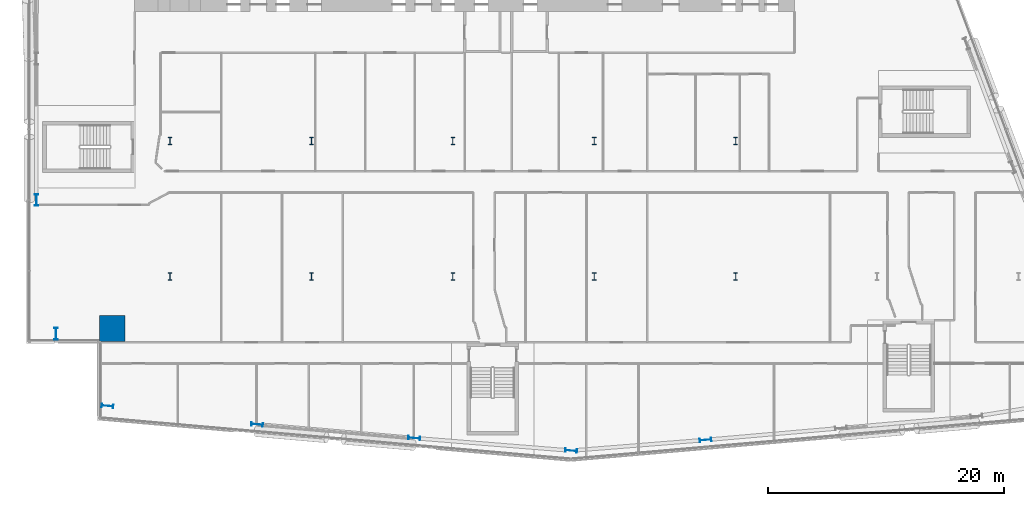
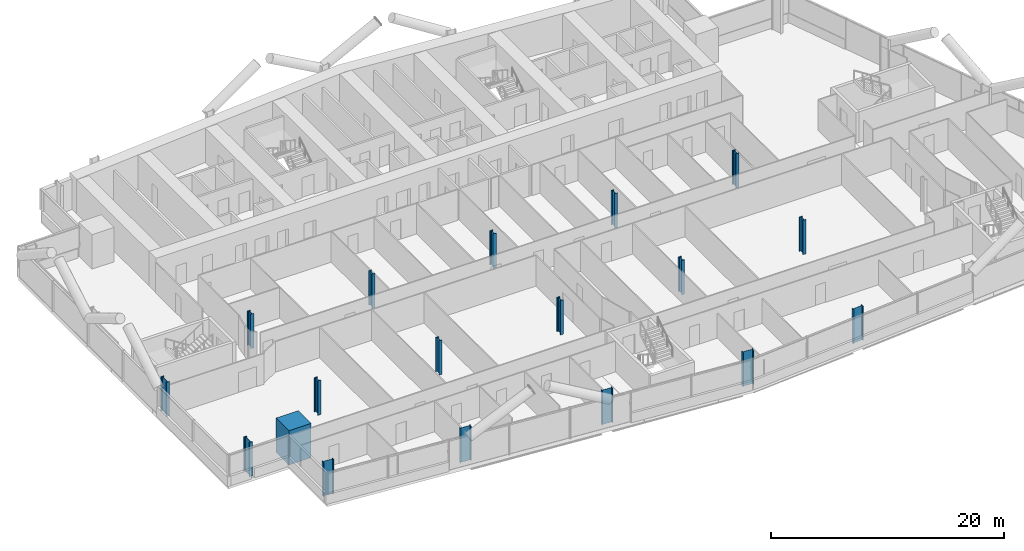
# One storey, part 1 of 28: 18 columns.
"""IFC4 building model written with IfcOpenShell, lengths in metres."""

from ifc_helpers import new_model, si_unit, direction, frame, origin, origin_2d, place, context, subcontext, project, spatial, rectangle, i_section, extrude, material, material_profile, profile_set, type_object, element, save


model = new_model("IFC4")

# Units and contexts
model_context = context("Model", 3, precision=1e-05, world=origin(), true_north=direction((0.0, 1.0)))
body_context = subcontext(model_context, "Body", "Model", "MODEL_VIEW")
ifc_project = project(units=[si_unit("LENGTHUNIT", "METRE"), si_unit("AREAUNIT", "SQUARE_METRE"), si_unit("VOLUMEUNIT", "CUBIC_METRE"), si_unit("PLANEANGLEUNIT", "RADIAN"), si_unit("MASSUNIT", "GRAM", prefix="KILO")], contexts=[model_context])

# Site, building, storey
site_placement = place(None, origin())
site = spatial("IfcSite", under=ifc_project, at=site_placement, CompositionType="ELEMENT")
building_placement = place(site_placement, origin())
building = spatial("IfcBuilding", under=site, at=building_placement, Name="Wharfspan Tower", CompositionType="ELEMENT")
storey_placement = place(building_placement, frame((0.0, 0.0, 52.300049)))
storey = spatial("IfcBuildingStorey", under=building, at=storey_placement, Name="L09", CompositionType="ELEMENT", Elevation=52.300049)

# Columns
ifc_material_1 = material(Name="Steel S355J2", Category="steel")
ifc_material_profile_1 = material_profile(ifc_material_1, i_section(OverallWidth=0.302002, OverallDepth=1.008057, WebThickness=0.020996, FlangeThickness=0.040039, FilletRadius=0.030029, at=origin_2d()))
ifc_profile_set_1 = profile_set([ifc_material_profile_1], Name="Steel S355J2")
column_type_1 = type_object("IfcColumnType", Name="Column HEM 1000", PredefinedType="COLUMN", material=ifc_profile_set_1)
for number, where, z_axis, x_axis, name in (
    (1, (6.694336, 0.528564, 0.0), (0.0, 0.0, 1.0), (-0.087156, -0.996198, 0.0), "Perimeter column PS1.1 L09"),
    (2, (19.390869, -1.033936, 0.0), (0.0, 0.0, 1.0), (-0.087156, -0.996198, 0.0), "Perimeter column PS1.2 L09"),
    (3, (32.724121, -2.200439, 0.0), (0.0, 0.0, 1.0), (-0.087156, -0.996198, 0.0), "Perimeter column PS1.3 L09"),
    (4, (46.04248, -3.268066, 0.0), (0.0, 0.0, 1.0), (-0.087156, -0.996198, 0.0), "Perimeter column PS1.4 L09"),
    (5, (57.442383, -2.36084, 0.0), (0.0, 0.0, 1.0), (0.087156, -0.996198, 0.0), "Perimeter column PS2.1 L09"),
    (6, (0.659912, 18.0, 0.0), (0.0, 0.0, 1.0), (-1.0, 0.0, 0.0), "Perimeter column PW.2 L09"),
    (7, (2.331787, 6.66748, 0.0), (0.0, 0.0, 1.0), (-1.0, 0.0, 0.0), "Perimeter column PW.3 L09"),
):
    element("IfcColumn", number, at=place(storey_placement, frame(where, z_axis=z_axis, x_axis=x_axis)), inside=storey, type_object=column_type_1, Name=name, PredefinedType="COLUMN", context=body_context, shape_type="SweptSolid", body=[
        extrude(i_section(OverallWidth=0.302002, OverallDepth=1.008057, WebThickness=0.020996, FlangeThickness=0.040039, FilletRadius=0.030029, at=origin_2d()), origin(), (0.0, 0.0, 1.0), 3.599854),
    ])
ifc_material_profile_2 = material_profile(ifc_material_1, i_section(OverallWidth=0.304932, OverallDepth=0.620117, WebThickness=0.020996, FlangeThickness=0.040039, FilletRadius=0.0271, at=origin_2d()))
ifc_profile_set_2 = profile_set([ifc_material_profile_2], Name="Steel S355J2")
column_type_2 = type_object("IfcColumnType", Name="Column HEM 600", PredefinedType="COLUMN", material=ifc_profile_set_2)
for number, where, z_axis, x_axis, name in (
    (8, (12.0, 11.5, 0.0), (0.0, 0.0, 1.0), (1.0, 0.0, 0.0), "Interior column I.1.1 L09"),
    (9, (24.0, 11.5, 0.0), (0.0, 0.0, 1.0), (1.0, 0.0, 0.0), "Interior column I.1.2 L09"),
    (10, (36.0, 11.5, 0.0), (0.0, 0.0, 1.0), (1.0, 0.0, 0.0), "Interior column I.1.3 L09"),
    (11, (48.0, 11.5, 0.0), (0.0, 0.0, 1.0), (1.0, 0.0, 0.0), "Interior column I.1.4 L09"),
    (12, (60.0, 11.5, 0.0), (0.0, 0.0, 1.0), (1.0, 0.0, 0.0), "Interior column I.1.5 L09"),
    (13, (12.0, 23.0, 0.0), (0.0, 0.0, 1.0), (1.0, 0.0, 0.0), "Interior column I.2.1 L09"),
    (14, (24.0, 23.0, 0.0), (0.0, 0.0, 1.0), (1.0, 0.0, 0.0), "Interior column I.2.2 L09"),
    (15, (36.0, 23.0, 0.0), (0.0, 0.0, 1.0), (1.0, 0.0, 0.0), "Interior column I.2.3 L09"),
    (16, (48.0, 23.0, 0.0), (0.0, 0.0, 1.0), (1.0, 0.0, 0.0), "Interior column I.2.4 L09"),
    (17, (60.0, 23.0, 0.0), (0.0, 0.0, 1.0), (1.0, 0.0, 0.0), "Interior column I.2.5 L09"),
):
    element("IfcColumn", number, at=place(storey_placement, frame(where, z_axis=z_axis, x_axis=x_axis)), inside=storey, type_object=column_type_2, Name=name, PredefinedType="COLUMN", context=body_context, shape_type="SweptSolid", body=[
        extrude(i_section(OverallWidth=0.304932, OverallDepth=0.620117, WebThickness=0.020996, FlangeThickness=0.040039, FilletRadius=0.0271, at=origin_2d()), origin(), (0.0, 0.0, 1.0), 3.599854),
    ])
ifc_material_2 = material(Name="Concrete C70/85", Category="concrete")
ifc_material_profile_3 = material_profile(ifc_material_2, rectangle(XDim=2.199951, YDim=2.199951, at=origin_2d()))
ifc_profile_set_3 = profile_set([ifc_material_profile_3], Name="Concrete C70/85")
column_type_3 = type_object("IfcColumnType", Name="Mega column 2200 C70/85", PredefinedType="COLUMN", material=ifc_profile_set_3)
column_placement = place(storey_placement, frame((7.100098, 7.100098, 0.0), z_axis=(0.0, 0.0, 1.0), x_axis=(1.0, 0.0, 0.0)))
element("IfcColumn", 18, at=column_placement, inside=storey, type_object=column_type_3, Name="Mega column MC1 L09", PredefinedType="COLUMN", context=body_context, shape_type="SweptSolid", body=[
    extrude(rectangle(XDim=2.199951, YDim=2.199951, at=origin_2d()), origin(), (0.0, 0.0, 1.0), 3.599854),
])

save(model, "model.ifc")
